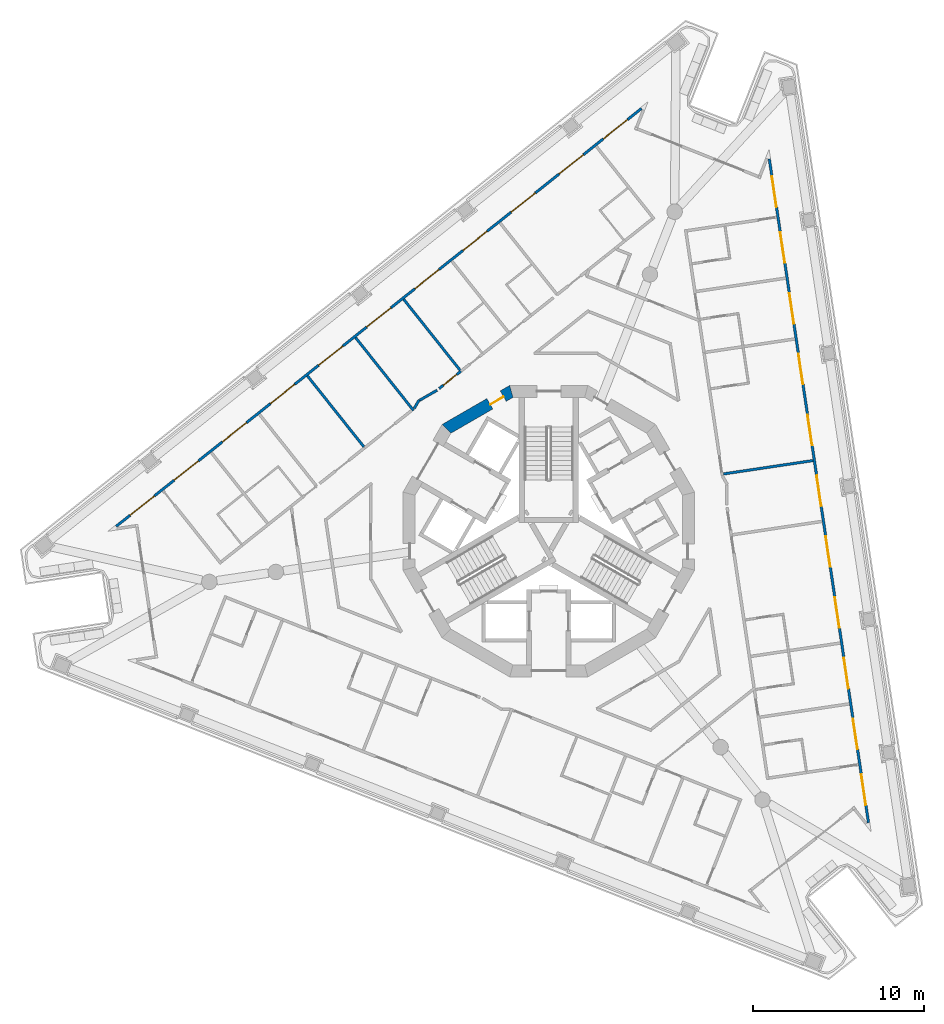
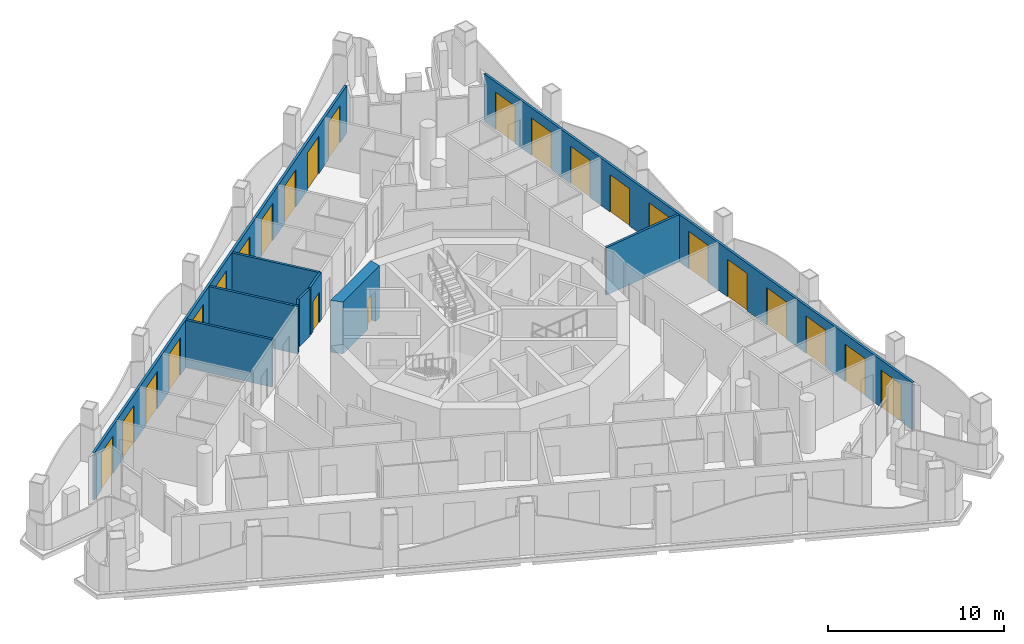
# One storey, part 7 of 16: 24 doors, 10 walls, 24 openings.
"""IFC4 building model written with IfcOpenShell, lengths in metres."""

import ifcopenshell
import ifcopenshell.guid

model = None  # the IFC model being written
_history = None  # IfcOwnerHistory: only IFC2X3 demands one
_inside = {}  # id of a spatial element -> (the spatial element, [elements in it])
_under = {}  # id of a project, library or spatial element -> (it, [spatial elements below it])
_declared = {}  # id of a project -> (the project, [libraries it declares])
_typed = {}  # id of a type object -> (the type object, [elements of that type])
_made_of = {}  # id of a material, layer set ... -> (it, [elements and type objects made of it])


def new_model(schema):
    """Start an empty IFC model of exactly this schema.

    Asked for "IFC4X3", IfcOpenShell would pick the latest addendum, in which some entities
    have other attributes; the version numbers below select the first issue.
    IFC2X3 requires an IfcOwnerHistory on every rooted entity: one is made here for all.
    """
    global model, _history
    if schema == "IFC4X3":
        model = ifcopenshell.file(schema_version=(4, 3, 0, 0))
    else:
        model = ifcopenshell.file(schema=schema)
    _inside.clear()
    _under.clear()
    _declared.clear()
    _typed.clear()
    _made_of.clear()
    _history = None
    if model.schema == "IFC2X3":
        org = make("IfcOrganization", Name="unknown")
        user = make(
            "IfcPersonAndOrganization",
            ThePerson=make("IfcPerson", FamilyName="unknown"),
            TheOrganization=org,
        )
        app = make(
            "IfcApplication",
            ApplicationDeveloper=org,
            Version="unknown",
            ApplicationFullName="unknown",
            ApplicationIdentifier="unknown",
        )
        _history = make(
            "IfcOwnerHistory",
            OwningUser=user,
            OwningApplication=app,
            ChangeAction="ADDED",
            CreationDate=0,
        )
    return model


def make(cls, **values):
    """One entity of the class cls with the attributes given. An attribute that is None is left unset."""
    return model.create_entity(
        cls, **{name: value for name, value in values.items() if value is not None}
    )


def rooted(cls, **values):
    """An entity with a GlobalId (a new one), such as an element, a storey or a relation."""
    return make(cls, GlobalId=ifcopenshell.guid.new(), OwnerHistory=_history, **values)


def si_unit(unit_type, name, prefix=None):
    """IfcSIUnit, for example si_unit("LENGTHUNIT", "METRE", prefix="MILLI")."""
    return make("IfcSIUnit", UnitType=unit_type, Prefix=prefix, Name=name)


def assignment(units):
    """IfcUnitAssignment: the units of a project."""
    return None if units is None else make("IfcUnitAssignment", Units=units)


def point(xyz):
    """IfcCartesianPoint."""
    return None if xyz is None else make("IfcCartesianPoint", Coordinates=xyz)


def direction(xyz):
    """IfcDirection."""
    return None if xyz is None else make("IfcDirection", DirectionRatios=xyz)


def frame(location, z_axis=None, x_axis=None):
    """IfcAxis2Placement3D, a coordinate frame: its origin and axes. An axis left out is left unset."""
    return make(
        "IfcAxis2Placement3D",
        Location=point(location),
        Axis=direction(z_axis),
        RefDirection=direction(x_axis),
    )


def frame_2d(location, x_axis=None):
    """IfcAxis2Placement2D, a coordinate frame in the plane: its origin and x axis."""
    return make(
        "IfcAxis2Placement2D", Location=point(location), RefDirection=direction(x_axis)
    )


def origin():
    """The frame at (0, 0, 0) with its axes left unset."""
    return frame((0.0, 0.0, 0.0))


def place(relative_to, where):
    """IfcLocalPlacement: puts the frame where relative to a parent placement (None: the world)."""
    return make(
        "IfcLocalPlacement", PlacementRelTo=relative_to, RelativePlacement=where
    )


def context(
    kind, dimensions, precision=None, world=None, true_north=None, identifier=None
):
    """IfcGeometricRepresentationContext, for example the 3D "Model" context."""
    return make(
        "IfcGeometricRepresentationContext",
        ContextIdentifier=identifier,
        ContextType=kind,
        CoordinateSpaceDimension=dimensions,
        Precision=precision,
        WorldCoordinateSystem=world,
        TrueNorth=true_north,
    )


def subcontext(parent, identifier, kind, view, scale=None):
    """IfcGeometricRepresentationSubContext, for example "Body" below "Model"."""
    return make(
        "IfcGeometricRepresentationSubContext",
        ContextIdentifier=identifier,
        ContextType=kind,
        ParentContext=parent,
        TargetScale=scale,
        TargetView=view,
    )


def project(units=None, contexts=None):
    """IfcProject with its units and contexts."""
    return rooted(
        "IfcProject",
        Name="project",
        RepresentationContexts=contexts,
        UnitsInContext=assignment(units),
    )


def spatial(cls, under=None, at=None, **own):
    """A site, building, storey or space (cls), placed at a placement, below another one or the project."""
    s = rooted(cls, ObjectPlacement=at, **own)
    if under is not None:
        _under.setdefault(under.id(), (under, []))[1].append(s)
    return s


def polyline(points):
    """IfcPolyline through the points."""
    return make("IfcPolyline", Points=[point(p) for p in points])


def profile(cls, at=None, kind="AREA", **sizes):
    """A parametric profile (cls). Its sizes go by their IFC names, for example OverallWidth=200.0."""
    return make(cls, ProfileType=kind, Position=at, **sizes)


def rectangle(**sizes):
    """IfcRectangleProfileDef."""
    return profile("IfcRectangleProfileDef", **sizes)


def outline(outer, holes=None, kind="AREA"):
    """IfcArbitraryClosedProfileDef: a profile drawn as a closed curve; with holes, ...WithVoids."""
    if holes is None:
        return make("IfcArbitraryClosedProfileDef", ProfileType=kind, OuterCurve=outer)
    return make(
        "IfcArbitraryProfileDefWithVoids",
        ProfileType=kind,
        OuterCurve=outer,
        InnerCurves=holes,
    )


def extrude(swept, where, along, depth):
    """IfcExtrudedAreaSolid: the profile swept, set in the frame where, extruded along a direction by depth."""
    return make(
        "IfcExtrudedAreaSolid",
        SweptArea=swept,
        Position=where,
        ExtrudedDirection=direction(along),
        Depth=depth,
    )


def shape(context_of_items, identifier, shape_type, items):
    """IfcShapeRepresentation: the items that make up one representation, for example the "Body"."""
    return make(
        "IfcShapeRepresentation",
        ContextOfItems=context_of_items,
        RepresentationIdentifier=identifier,
        RepresentationType=shape_type,
        Items=items,
    )


def material(Name=None, Category=None):
    """IfcMaterial."""
    return make("IfcMaterial", Name=Name, Category=Category)


def layer(
    of_material, thickness, ventilated=None, Name=None, Category=None, Priority=None
):
    """IfcMaterialLayer: one layer of a wall or slab, of a material (None: an air gap)."""
    return make(
        "IfcMaterialLayer",
        Material=of_material,
        LayerThickness=thickness,
        IsVentilated=ventilated,
        Name=Name,
        Category=Category,
        Priority=Priority,
    )


def layer_set(layers, Name=None):
    """IfcMaterialLayerSet."""
    return make("IfcMaterialLayerSet", MaterialLayers=layers, LayerSetName=Name)


def made_of(thing, what):
    """Note that an element or type object is made of a material, layer set ...; save() writes the relation."""
    if what is not None:
        _made_of.setdefault(what.id(), (what, []))[1].append(thing)
    return thing


def type_object(cls, material=None, **own):
    """A type object (cls), such as IfcWallType, which elements share."""
    return made_of(rooted(cls, **own), material)


def element(
    cls,
    number,
    at=None,
    inside=None,
    cuts=None,
    type_object=None,
    material=None,
    context=None,
    identifier="Body",
    shape_type=None,
    held_by="IfcProductDefinitionShape",
    body=None,
    shapes=None,
    **own,
):
    """One element of the class cls, such as IfcWall. Its Tag is "e" and its number.

    at: its placement. inside: the storey or other place that contains it. cuts: it is an
    opening in that element (IfcRelVoidsElement). A single representation is given by context,
    identifier, shape_type and body (its items); several are given by shapes. held_by: the class
    of the entity that holds the representations. save() writes the other relations.
    """
    e = rooted(cls, Tag="e%d" % number, ObjectPlacement=at, **own)
    if body is not None:
        shapes = [shape(context, identifier, shape_type, body)]
    if shapes is not None:
        e.Representation = make(held_by, Representations=shapes)
    if inside is not None:
        _inside.setdefault(inside.id(), (inside, []))[1].append(e)
    if cuts is not None:
        rooted(
            "IfcRelVoidsElement", RelatingBuildingElement=cuts, RelatedOpeningElement=e
        )
    if type_object is not None:
        _typed.setdefault(type_object.id(), (type_object, []))[1].append(e)
    return made_of(e, material)


def fill(opening, filler):
    """IfcRelFillsElement: the door or window that sits in an opening."""
    return rooted(
        "IfcRelFillsElement",
        RelatingOpeningElement=opening,
        RelatedBuildingElement=filler,
    )


def aggregate(whole, parts):
    """IfcRelAggregates: a whole, such as a stair, and the parts it consists of."""
    return rooted("IfcRelAggregates", RelatingObject=whole, RelatedObjects=parts)


def save(model, path):
    """Write the relations noted so far, then the file.

    IfcRelAggregates (storeys below a building ...), IfcRelContainedInSpatialStructure (elements
    in a storey), IfcRelDefinesByType, IfcRelAssociatesMaterial and IfcRelDeclares: one each for
    every whole, place, type object, material and project.
    """
    for whole, parts in _under.values():
        aggregate(whole, parts)
    for where, things in _inside.values():
        rooted(
            "IfcRelContainedInSpatialStructure",
            RelatedElements=things,
            RelatingStructure=where,
        )
    for kind, things in _typed.values():
        rooted("IfcRelDefinesByType", RelatedObjects=things, RelatingType=kind)
    for what, things in _made_of.values():
        rooted("IfcRelAssociatesMaterial", RelatedObjects=things, RelatingMaterial=what)
    for by, libraries in _declared.values():
        rooted("IfcRelDeclares", RelatingContext=by, RelatedDefinitions=libraries)
    model.write(path)


model = new_model("IFC4")

# Units and contexts
model_context = context("Model", 3, precision=1e-05, world=origin(), true_north=direction((0.0, 1.0)))
body_context = subcontext(model_context, "Body", "Model", "MODEL_VIEW")
ifc_project = project(units=[si_unit("LENGTHUNIT", "METRE"), si_unit("AREAUNIT", "SQUARE_METRE"), si_unit("VOLUMEUNIT", "CUBIC_METRE"), si_unit("PLANEANGLEUNIT", "RADIAN"), si_unit("MASSUNIT", "GRAM", prefix="KILO")], contexts=[model_context])

# Site, building, storey
site_placement = place(None, origin())
site = spatial("IfcSite", under=ifc_project, at=site_placement, CompositionType="ELEMENT")
building_placement = place(site_placement, origin())
building = spatial("IfcBuilding", under=site, at=building_placement, Name="Trine Commons Tower", CompositionType="ELEMENT")
storey_placement = place(building_placement, frame((0.0, 0.0, 205.199951171875)))
storey = spatial("IfcBuildingStorey", under=building, at=storey_placement, Name="L53", CompositionType="ELEMENT", Elevation=205.199951171875)

# Wall, openings, doors
ifc_material_1 = material(Name="Aluminium-framed insulated wall panel", Category="aluminium")
ifc_layer_1 = layer(ifc_material_1, 0.14990234375)
ifc_layer_set_1 = layer_set([ifc_layer_1], Name="Aluminium-framed insulated wall panel")
wall_type_1 = type_object("IfcWallType", Name="Glazed frame wall 150, EI 60", PredefinedType="SOLIDWALL", material=ifc_layer_set_1)
wall_1_placement = place(storey_placement, frame((54.650634765625, 62.685546875, 0.0), z_axis=(0.0, 0.0, 1.0), x_axis=(0.782609620341, 0.622512796776, 0.0)))
wall_1 = element("IfcWall", 1, at=wall_1_placement, inside=storey, type_object=wall_type_1, Name="Glazed frame wall F1", PredefinedType="SOLIDWALL", context=body_context, shape_type="SweptSolid", body=[
    extrude(outline(polyline([(0.1494140625, 0.074951171875), (0.1494140625, -0.074951171875), (39.296875, -0.074951171875), (39.296875, 0.074951171875), (0.1494140625, 0.074951171875)])), origin(), (0.0, 0.0, 1.0), 3.300048828125),
])
opening_1_placement = place(wall_1_placement, frame((1.193115234375, 0.0, 0.0)))
opening_1 = element("IfcOpeningElement", 2, at=opening_1_placement, cuts=wall_1, Name="Opening BD-6F1-01", PredefinedType="OPENING", context=body_context, shape_type="SweptSolid", body=[
    extrude(rectangle(XDim=1.800048828125, YDim=2.60009765625, at=frame_2d((0.89990234375, 1.300048828125))), frame((0.0, 0.0849609375, 0.0), z_axis=(0.0, -1.0, 0.0), x_axis=(1.0, 0.0, 0.0)), (0.0, 0.0, 1.0), 0.169921875),
])
opening_2_placement = place(wall_1_placement, frame((4.47900390625, 0.0, 0.0)))
opening_2 = element("IfcOpeningElement", 3, at=opening_2_placement, cuts=wall_1, Name="Opening BD-6F1-02", PredefinedType="OPENING", context=body_context, shape_type="SweptSolid", body=[
    extrude(rectangle(XDim=1.800048828125, YDim=2.60009765625, at=frame_2d((0.89990234375, 1.300048828125))), frame((0.0, 0.0849609375, 0.0), z_axis=(0.0, -1.0, 0.0), x_axis=(1.0, 0.0, 0.0)), (0.0, 0.0, 1.0), 0.169921875),
])
opening_3_placement = place(wall_1_placement, frame((8.06494140625, 0.0, 0.0)))
opening_3 = element("IfcOpeningElement", 4, at=opening_3_placement, cuts=wall_1, Name="Opening BD-6F1-03", PredefinedType="OPENING", context=body_context, shape_type="SweptSolid", body=[
    extrude(rectangle(XDim=1.800048828125, YDim=2.60009765625, at=frame_2d((0.89990234375, 1.300048828125))), frame((0.0, 0.0849609375, 0.0), z_axis=(0.0, -1.0, 0.0), x_axis=(1.0, 0.0, 0.0)), (0.0, 0.0, 1.0), 0.169921875),
])
opening_4_placement = place(wall_1_placement, frame((11.65087890625, 0.0, 0.0)))
opening_4 = element("IfcOpeningElement", 5, at=opening_4_placement, cuts=wall_1, Name="Opening BD-6F1-04", PredefinedType="OPENING", context=body_context, shape_type="SweptSolid", body=[
    extrude(rectangle(XDim=1.800048828125, YDim=2.60009765625, at=frame_2d((0.89990234375, 1.300048828125))), frame((0.0, 0.0849609375, 0.0), z_axis=(0.0, -1.0, 0.0), x_axis=(1.0, 0.0, 0.0)), (0.0, 0.0, 1.0), 0.169921875),
])
opening_5_placement = place(wall_1_placement, frame((15.237060546875, 0.0, 0.0)))
opening_5 = element("IfcOpeningElement", 6, at=opening_5_placement, cuts=wall_1, Name="Opening BD-6F1-05", PredefinedType="OPENING", context=body_context, shape_type="SweptSolid", body=[
    extrude(rectangle(XDim=1.800048828125, YDim=2.60009765625, at=frame_2d((0.89990234375, 1.300048828125))), frame((0.0, 0.0849609375, 0.0), z_axis=(0.0, -1.0, 0.0), x_axis=(1.0, 0.0, 0.0)), (0.0, 0.0, 1.0), 0.169921875),
])
opening_6_placement = place(wall_1_placement, frame((18.822998046875, 0.0, 0.0)))
opening_6 = element("IfcOpeningElement", 7, at=opening_6_placement, cuts=wall_1, Name="Opening BD-6F1-06", PredefinedType="OPENING", context=body_context, shape_type="SweptSolid", body=[
    extrude(rectangle(XDim=1.800048828125, YDim=2.60009765625, at=frame_2d((0.89990234375, 1.300048828125))), frame((0.0, 0.0849609375, 0.0), z_axis=(0.0, -1.0, 0.0), x_axis=(1.0, 0.0, 0.0)), (0.0, 0.0, 1.0), 0.169921875),
])
opening_7_placement = place(wall_1_placement, frame((22.408935546875, 0.0, 0.0)))
opening_7 = element("IfcOpeningElement", 8, at=opening_7_placement, cuts=wall_1, Name="Opening BD-6F1-07", PredefinedType="OPENING", context=body_context, shape_type="SweptSolid", body=[
    extrude(rectangle(XDim=1.800048828125, YDim=2.60009765625, at=frame_2d((0.89990234375, 1.300048828125))), frame((0.0, 0.0849609375, 0.0), z_axis=(0.0, -1.0, 0.0), x_axis=(1.0, 0.0, 0.0)), (0.0, 0.0, 1.0), 0.169921875),
])
opening_8_placement = place(wall_1_placement, frame((25.9951171875, 0.0, 0.0)))
opening_8 = element("IfcOpeningElement", 9, at=opening_8_placement, cuts=wall_1, Name="Opening BD-6F1-08", PredefinedType="OPENING", context=body_context, shape_type="SweptSolid", body=[
    extrude(rectangle(XDim=1.800048828125, YDim=2.60009765625, at=frame_2d((0.89990234375, 1.300048828125))), frame((0.0, 0.0849609375, 0.0), z_axis=(0.0, -1.0, 0.0), x_axis=(1.0, 0.0, 0.0)), (0.0, 0.0, 1.0), 0.169921875),
])
opening_9_placement = place(wall_1_placement, frame((29.5810546875, 0.0, 0.0)))
opening_9 = element("IfcOpeningElement", 10, at=opening_9_placement, cuts=wall_1, Name="Opening BD-6F1-09", PredefinedType="OPENING", context=body_context, shape_type="SweptSolid", body=[
    extrude(rectangle(XDim=1.800048828125, YDim=2.60009765625, at=frame_2d((0.89990234375, 1.300048828125))), frame((0.0, 0.0849609375, 0.0), z_axis=(0.0, -1.0, 0.0), x_axis=(1.0, 0.0, 0.0)), (0.0, 0.0, 1.0), 0.169921875),
])
opening_10_placement = place(wall_1_placement, frame((33.1669921875, 0.0, 0.0)))
opening_10 = element("IfcOpeningElement", 11, at=opening_10_placement, cuts=wall_1, Name="Opening BD-6F1-10", PredefinedType="OPENING", context=body_context, shape_type="SweptSolid", body=[
    extrude(rectangle(XDim=1.800048828125, YDim=2.60009765625, at=frame_2d((0.89990234375, 1.300048828125))), frame((0.0, 0.0849609375, 0.0), z_axis=(0.0, -1.0, 0.0), x_axis=(1.0, 0.0, 0.0)), (0.0, 0.0, 1.0), 0.169921875),
])
opening_11_placement = place(wall_1_placement, frame((36.452880859375, 0.0, 0.0)))
opening_11 = element("IfcOpeningElement", 12, at=opening_11_placement, cuts=wall_1, Name="Opening BD-6F1-11", PredefinedType="OPENING", context=body_context, shape_type="SweptSolid", body=[
    extrude(rectangle(XDim=1.800048828125, YDim=2.60009765625, at=frame_2d((0.89990234375, 1.300048828125))), frame((0.0, 0.0849609375, 0.0), z_axis=(0.0, -1.0, 0.0), x_axis=(1.0, 0.0, 0.0)), (0.0, 0.0, 1.0), 0.169921875),
])
ifc_material_2 = material(Name="Anodised aluminium frame with double glazing", Category="aluminium")
door_type_1 = type_object("IfcDoorType", Name="Sliding loggia door 1800x2600", OperationType="SLIDING_TO_LEFT", PredefinedType="DOOR", material=ifc_material_2)
door_1_placement = place(opening_1_placement, origin())
door_1 = element("IfcDoor", 13, at=door_1_placement, inside=storey, type_object=door_type_1, Name="Loggia door F1 1", OperationType="SLIDING_TO_LEFT", OverallHeight=2.60009765625, OverallWidth=1.800048828125, PredefinedType="DOOR", context=body_context, shape_type="SweptSolid", body=[
    extrude(rectangle(XDim=1.800048828125, YDim=2.60009765625, at=frame_2d((0.89990234375, 1.300048828125))), frame((0.0, 0.02490234375, 0.0), z_axis=(0.0, -1.0, 0.0), x_axis=(1.0, 0.0, 0.0)), (0.0, 0.0, 1.0), 0.050048828125),
])
fill(opening_1, door_1)
door_2_placement = place(opening_2_placement, origin())
door_2 = element("IfcDoor", 14, at=door_2_placement, inside=storey, type_object=door_type_1, Name="Loggia door F1 2", OperationType="SLIDING_TO_LEFT", OverallHeight=2.60009765625, OverallWidth=1.800048828125, PredefinedType="DOOR", context=body_context, shape_type="SweptSolid", body=[
    extrude(rectangle(XDim=1.800048828125, YDim=2.60009765625, at=frame_2d((0.89990234375, 1.300048828125))), frame((0.0, 0.02490234375, 0.0), z_axis=(0.0, -1.0, 0.0), x_axis=(1.0, 0.0, 0.0)), (0.0, 0.0, 1.0), 0.050048828125),
])
fill(opening_2, door_2)
door_3_placement = place(opening_3_placement, origin())
door_3 = element("IfcDoor", 15, at=door_3_placement, inside=storey, type_object=door_type_1, Name="Loggia door F1 3", OperationType="SLIDING_TO_LEFT", OverallHeight=2.60009765625, OverallWidth=1.800048828125, PredefinedType="DOOR", context=body_context, shape_type="SweptSolid", body=[
    extrude(rectangle(XDim=1.800048828125, YDim=2.60009765625, at=frame_2d((0.89990234375, 1.300048828125))), frame((0.0, 0.02490234375, 0.0), z_axis=(0.0, -1.0, 0.0), x_axis=(1.0, 0.0, 0.0)), (0.0, 0.0, 1.0), 0.050048828125),
])
fill(opening_3, door_3)
door_4_placement = place(opening_4_placement, origin())
door_4 = element("IfcDoor", 16, at=door_4_placement, inside=storey, type_object=door_type_1, Name="Loggia door F1 4", OperationType="SLIDING_TO_LEFT", OverallHeight=2.60009765625, OverallWidth=1.800048828125, PredefinedType="DOOR", context=body_context, shape_type="SweptSolid", body=[
    extrude(rectangle(XDim=1.800048828125, YDim=2.60009765625, at=frame_2d((0.89990234375, 1.300048828125))), frame((0.0, 0.02490234375, 0.0), z_axis=(0.0, -1.0, 0.0), x_axis=(1.0, 0.0, 0.0)), (0.0, 0.0, 1.0), 0.050048828125),
])
fill(opening_4, door_4)
door_5_placement = place(opening_5_placement, origin())
door_5 = element("IfcDoor", 17, at=door_5_placement, inside=storey, type_object=door_type_1, Name="Loggia door F1 5", OperationType="SLIDING_TO_LEFT", OverallHeight=2.60009765625, OverallWidth=1.800048828125, PredefinedType="DOOR", context=body_context, shape_type="SweptSolid", body=[
    extrude(rectangle(XDim=1.800048828125, YDim=2.60009765625, at=frame_2d((0.89990234375, 1.300048828125))), frame((0.0, 0.02490234375, 0.0), z_axis=(0.0, -1.0, 0.0), x_axis=(1.0, 0.0, 0.0)), (0.0, 0.0, 1.0), 0.050048828125),
])
fill(opening_5, door_5)
door_6_placement = place(opening_6_placement, origin())
door_6 = element("IfcDoor", 18, at=door_6_placement, inside=storey, type_object=door_type_1, Name="Loggia door F1 6", OperationType="SLIDING_TO_LEFT", OverallHeight=2.60009765625, OverallWidth=1.800048828125, PredefinedType="DOOR", context=body_context, shape_type="SweptSolid", body=[
    extrude(rectangle(XDim=1.800048828125, YDim=2.60009765625, at=frame_2d((0.89990234375, 1.300048828125))), frame((0.0, 0.02490234375, 0.0), z_axis=(0.0, -1.0, 0.0), x_axis=(1.0, 0.0, 0.0)), (0.0, 0.0, 1.0), 0.050048828125),
])
fill(opening_6, door_6)
door_7_placement = place(opening_7_placement, origin())
door_7 = element("IfcDoor", 19, at=door_7_placement, inside=storey, type_object=door_type_1, Name="Loggia door F1 7", OperationType="SLIDING_TO_LEFT", OverallHeight=2.60009765625, OverallWidth=1.800048828125, PredefinedType="DOOR", context=body_context, shape_type="SweptSolid", body=[
    extrude(rectangle(XDim=1.800048828125, YDim=2.60009765625, at=frame_2d((0.89990234375, 1.300048828125))), frame((0.0, 0.02490234375, 0.0), z_axis=(0.0, -1.0, 0.0), x_axis=(1.0, 0.0, 0.0)), (0.0, 0.0, 1.0), 0.050048828125),
])
fill(opening_7, door_7)
door_8_placement = place(opening_8_placement, origin())
door_8 = element("IfcDoor", 20, at=door_8_placement, inside=storey, type_object=door_type_1, Name="Loggia door F1 8", OperationType="SLIDING_TO_LEFT", OverallHeight=2.60009765625, OverallWidth=1.800048828125, PredefinedType="DOOR", context=body_context, shape_type="SweptSolid", body=[
    extrude(rectangle(XDim=1.800048828125, YDim=2.60009765625, at=frame_2d((0.89990234375, 1.300048828125))), frame((0.0, 0.02490234375, 0.0), z_axis=(0.0, -1.0, 0.0), x_axis=(1.0, 0.0, 0.0)), (0.0, 0.0, 1.0), 0.050048828125),
])
fill(opening_8, door_8)
door_9_placement = place(opening_9_placement, origin())
door_9 = element("IfcDoor", 21, at=door_9_placement, inside=storey, type_object=door_type_1, Name="Loggia door F1 9", OperationType="SLIDING_TO_LEFT", OverallHeight=2.60009765625, OverallWidth=1.800048828125, PredefinedType="DOOR", context=body_context, shape_type="SweptSolid", body=[
    extrude(rectangle(XDim=1.800048828125, YDim=2.60009765625, at=frame_2d((0.89990234375, 1.300048828125))), frame((0.0, 0.02490234375, 0.0), z_axis=(0.0, -1.0, 0.0), x_axis=(1.0, 0.0, 0.0)), (0.0, 0.0, 1.0), 0.050048828125),
])
fill(opening_9, door_9)
door_10_placement = place(opening_10_placement, origin())
door_10 = element("IfcDoor", 22, at=door_10_placement, inside=storey, type_object=door_type_1, Name="Loggia door F1 10", OperationType="SLIDING_TO_LEFT", OverallHeight=2.60009765625, OverallWidth=1.800048828125, PredefinedType="DOOR", context=body_context, shape_type="SweptSolid", body=[
    extrude(rectangle(XDim=1.800048828125, YDim=2.60009765625, at=frame_2d((0.89990234375, 1.300048828125))), frame((0.0, 0.02490234375, 0.0), z_axis=(0.0, -1.0, 0.0), x_axis=(1.0, 0.0, 0.0)), (0.0, 0.0, 1.0), 0.050048828125),
])
fill(opening_10, door_10)
door_11_placement = place(opening_11_placement, origin())
door_11 = element("IfcDoor", 23, at=door_11_placement, inside=storey, type_object=door_type_1, Name="Loggia door F1 11", OperationType="SLIDING_TO_LEFT", OverallHeight=2.60009765625, OverallWidth=1.800048828125, PredefinedType="DOOR", context=body_context, shape_type="SweptSolid", body=[
    extrude(rectangle(XDim=1.800048828125, YDim=2.60009765625, at=frame_2d((0.89990234375, 1.300048828125))), frame((0.0, 0.02490234375, 0.0), z_axis=(0.0, -1.0, 0.0), x_axis=(1.0, 0.0, 0.0)), (0.0, 0.0, 1.0), 0.050048828125),
])
fill(opening_11, door_11)

wall_2_placement = place(storey_placement, frame((92.835205078125, 84.3603515625, 0.0), z_axis=(0.0, 0.0, 1.0), x_axis=(0.147810490781, -0.989015702006, 0.0)))
wall_2 = element("IfcWall", 24, at=wall_2_placement, inside=storey, type_object=wall_type_1, Name="Glazed frame wall F2", PredefinedType="SOLIDWALL", context=body_context, shape_type="SweptSolid", body=[
    extrude(outline(polyline([(0.1494140625, 0.074951171875), (0.1494140625, -0.074951171875), (39.296875, -0.074951171875), (39.296875, 0.074951171875), (0.1494140625, 0.074951171875)])), origin(), (0.0, 0.0, 1.0), 3.300048828125),
])
opening_12_placement = place(wall_2_placement, frame((1.193115234375, 0.0, 0.0)))
opening_12 = element("IfcOpeningElement", 25, at=opening_12_placement, cuts=wall_2, Name="Opening BD-6F2-01", PredefinedType="OPENING", context=body_context, shape_type="SweptSolid", body=[
    extrude(rectangle(XDim=1.800048828125, YDim=2.60009765625, at=frame_2d((0.89990234375, 1.300048828125))), frame((0.0, 0.0849609375, 0.0), z_axis=(0.0, -1.0, 0.0), x_axis=(1.0, 0.0, 0.0)), (0.0, 0.0, 1.0), 0.169921875),
])
opening_13_placement = place(wall_2_placement, frame((4.47900390625, 0.0, 0.0)))
opening_13 = element("IfcOpeningElement", 26, at=opening_13_placement, cuts=wall_2, Name="Opening BD-6F2-02", PredefinedType="OPENING", context=body_context, shape_type="SweptSolid", body=[
    extrude(rectangle(XDim=1.800048828125, YDim=2.60009765625, at=frame_2d((0.89990234375, 1.300048828125))), frame((0.0, 0.0849609375, 0.0), z_axis=(0.0, -1.0, 0.0), x_axis=(1.0, 0.0, 0.0)), (0.0, 0.0, 1.0), 0.169921875),
])
opening_14_placement = place(wall_2_placement, frame((8.06494140625, 0.0, 0.0)))
opening_14 = element("IfcOpeningElement", 27, at=opening_14_placement, cuts=wall_2, Name="Opening BD-6F2-03", PredefinedType="OPENING", context=body_context, shape_type="SweptSolid", body=[
    extrude(rectangle(XDim=1.800048828125, YDim=2.60009765625, at=frame_2d((0.89990234375, 1.300048828125))), frame((0.0, 0.0849609375, 0.0), z_axis=(0.0, -1.0, 0.0), x_axis=(1.0, 0.0, 0.0)), (0.0, 0.0, 1.0), 0.169921875),
])
opening_15_placement = place(wall_2_placement, frame((11.65087890625, 0.0, 0.0)))
opening_15 = element("IfcOpeningElement", 28, at=opening_15_placement, cuts=wall_2, Name="Opening BD-6F2-04", PredefinedType="OPENING", context=body_context, shape_type="SweptSolid", body=[
    extrude(rectangle(XDim=1.800048828125, YDim=2.60009765625, at=frame_2d((0.89990234375, 1.300048828125))), frame((0.0, 0.0849609375, 0.0), z_axis=(0.0, -1.0, 0.0), x_axis=(1.0, 0.0, 0.0)), (0.0, 0.0, 1.0), 0.169921875),
])
opening_16_placement = place(wall_2_placement, frame((15.237060546875, 0.0, 0.0)))
opening_16 = element("IfcOpeningElement", 29, at=opening_16_placement, cuts=wall_2, Name="Opening BD-6F2-05", PredefinedType="OPENING", context=body_context, shape_type="SweptSolid", body=[
    extrude(rectangle(XDim=1.800048828125, YDim=2.60009765625, at=frame_2d((0.89990234375, 1.300048828125))), frame((0.0, 0.0849609375, 0.0), z_axis=(0.0, -1.0, 0.0), x_axis=(1.0, 0.0, 0.0)), (0.0, 0.0, 1.0), 0.169921875),
])
opening_17_placement = place(wall_2_placement, frame((18.822998046875, 0.0, 0.0)))
opening_17 = element("IfcOpeningElement", 30, at=opening_17_placement, cuts=wall_2, Name="Opening BD-6F2-06", PredefinedType="OPENING", context=body_context, shape_type="SweptSolid", body=[
    extrude(rectangle(XDim=1.800048828125, YDim=2.60009765625, at=frame_2d((0.89990234375, 1.300048828125))), frame((0.0, 0.0849609375, 0.0), z_axis=(0.0, -1.0, 0.0), x_axis=(1.0, 0.0, 0.0)), (0.0, 0.0, 1.0), 0.169921875),
])
opening_18_placement = place(wall_2_placement, frame((22.408935546875, 0.0, 0.0)))
opening_18 = element("IfcOpeningElement", 31, at=opening_18_placement, cuts=wall_2, Name="Opening BD-6F2-07", PredefinedType="OPENING", context=body_context, shape_type="SweptSolid", body=[
    extrude(rectangle(XDim=1.800048828125, YDim=2.60009765625, at=frame_2d((0.89990234375, 1.300048828125))), frame((0.0, 0.0849609375, 0.0), z_axis=(0.0, -1.0, 0.0), x_axis=(1.0, 0.0, 0.0)), (0.0, 0.0, 1.0), 0.169921875),
])
opening_19_placement = place(wall_2_placement, frame((25.9951171875, 0.0, 0.0)))
opening_19 = element("IfcOpeningElement", 32, at=opening_19_placement, cuts=wall_2, Name="Opening BD-6F2-08", PredefinedType="OPENING", context=body_context, shape_type="SweptSolid", body=[
    extrude(rectangle(XDim=1.800048828125, YDim=2.60009765625, at=frame_2d((0.89990234375, 1.300048828125))), frame((0.0, 0.0849609375, 0.0), z_axis=(0.0, -1.0, 0.0), x_axis=(1.0, 0.0, 0.0)), (0.0, 0.0, 1.0), 0.169921875),
])
opening_20_placement = place(wall_2_placement, frame((29.5810546875, 0.0, 0.0)))
opening_20 = element("IfcOpeningElement", 33, at=opening_20_placement, cuts=wall_2, Name="Opening BD-6F2-09", PredefinedType="OPENING", context=body_context, shape_type="SweptSolid", body=[
    extrude(rectangle(XDim=1.800048828125, YDim=2.60009765625, at=frame_2d((0.89990234375, 1.300048828125))), frame((0.0, 0.0849609375, 0.0), z_axis=(0.0, -1.0, 0.0), x_axis=(1.0, 0.0, 0.0)), (0.0, 0.0, 1.0), 0.169921875),
])
opening_21_placement = place(wall_2_placement, frame((33.1669921875, 0.0, 0.0)))
opening_21 = element("IfcOpeningElement", 34, at=opening_21_placement, cuts=wall_2, Name="Opening BD-6F2-10", PredefinedType="OPENING", context=body_context, shape_type="SweptSolid", body=[
    extrude(rectangle(XDim=1.800048828125, YDim=2.60009765625, at=frame_2d((0.89990234375, 1.300048828125))), frame((0.0, 0.0849609375, 0.0), z_axis=(0.0, -1.0, 0.0), x_axis=(1.0, 0.0, 0.0)), (0.0, 0.0, 1.0), 0.169921875),
])
opening_22_placement = place(wall_2_placement, frame((36.452880859375, 0.0, 0.0)))
opening_22 = element("IfcOpeningElement", 35, at=opening_22_placement, cuts=wall_2, Name="Opening BD-6F2-11", PredefinedType="OPENING", context=body_context, shape_type="SweptSolid", body=[
    extrude(rectangle(XDim=1.800048828125, YDim=2.60009765625, at=frame_2d((0.89990234375, 1.300048828125))), frame((0.0, 0.0849609375, 0.0), z_axis=(0.0, -1.0, 0.0), x_axis=(1.0, 0.0, 0.0)), (0.0, 0.0, 1.0), 0.169921875),
])
door_12_placement = place(opening_12_placement, origin())
door_12 = element("IfcDoor", 36, at=door_12_placement, inside=storey, type_object=door_type_1, Name="Loggia door F2 1", OperationType="SLIDING_TO_LEFT", OverallHeight=2.60009765625, OverallWidth=1.800048828125, PredefinedType="DOOR", context=body_context, shape_type="SweptSolid", body=[
    extrude(rectangle(XDim=1.800048828125, YDim=2.60009765625, at=frame_2d((0.89990234375, 1.300048828125))), frame((0.0, 0.02490234375, 0.0), z_axis=(0.0, -1.0, 0.0), x_axis=(1.0, 0.0, 0.0)), (0.0, 0.0, 1.0), 0.050048828125),
])
fill(opening_12, door_12)
door_13_placement = place(opening_13_placement, origin())
door_13 = element("IfcDoor", 37, at=door_13_placement, inside=storey, type_object=door_type_1, Name="Loggia door F2 2", OperationType="SLIDING_TO_LEFT", OverallHeight=2.60009765625, OverallWidth=1.800048828125, PredefinedType="DOOR", context=body_context, shape_type="SweptSolid", body=[
    extrude(rectangle(XDim=1.800048828125, YDim=2.60009765625, at=frame_2d((0.89990234375, 1.300048828125))), frame((0.0, 0.02490234375, 0.0), z_axis=(0.0, -1.0, 0.0), x_axis=(1.0, 0.0, 0.0)), (0.0, 0.0, 1.0), 0.050048828125),
])
fill(opening_13, door_13)
door_14_placement = place(opening_14_placement, origin())
door_14 = element("IfcDoor", 38, at=door_14_placement, inside=storey, type_object=door_type_1, Name="Loggia door F2 3", OperationType="SLIDING_TO_LEFT", OverallHeight=2.60009765625, OverallWidth=1.800048828125, PredefinedType="DOOR", context=body_context, shape_type="SweptSolid", body=[
    extrude(rectangle(XDim=1.800048828125, YDim=2.60009765625, at=frame_2d((0.89990234375, 1.300048828125))), frame((0.0, 0.02490234375, 0.0), z_axis=(0.0, -1.0, 0.0), x_axis=(1.0, 0.0, 0.0)), (0.0, 0.0, 1.0), 0.050048828125),
])
fill(opening_14, door_14)
door_15_placement = place(opening_15_placement, origin())
door_15 = element("IfcDoor", 39, at=door_15_placement, inside=storey, type_object=door_type_1, Name="Loggia door F2 4", OperationType="SLIDING_TO_LEFT", OverallHeight=2.60009765625, OverallWidth=1.800048828125, PredefinedType="DOOR", context=body_context, shape_type="SweptSolid", body=[
    extrude(rectangle(XDim=1.800048828125, YDim=2.60009765625, at=frame_2d((0.89990234375, 1.300048828125))), frame((0.0, 0.02490234375, 0.0), z_axis=(0.0, -1.0, 0.0), x_axis=(1.0, 0.0, 0.0)), (0.0, 0.0, 1.0), 0.050048828125),
])
fill(opening_15, door_15)
door_16_placement = place(opening_16_placement, origin())
door_16 = element("IfcDoor", 40, at=door_16_placement, inside=storey, type_object=door_type_1, Name="Loggia door F2 5", OperationType="SLIDING_TO_LEFT", OverallHeight=2.60009765625, OverallWidth=1.800048828125, PredefinedType="DOOR", context=body_context, shape_type="SweptSolid", body=[
    extrude(rectangle(XDim=1.800048828125, YDim=2.60009765625, at=frame_2d((0.89990234375, 1.300048828125))), frame((0.0, 0.02490234375, 0.0), z_axis=(0.0, -1.0, 0.0), x_axis=(1.0, 0.0, 0.0)), (0.0, 0.0, 1.0), 0.050048828125),
])
fill(opening_16, door_16)
door_17_placement = place(opening_17_placement, origin())
door_17 = element("IfcDoor", 41, at=door_17_placement, inside=storey, type_object=door_type_1, Name="Loggia door F2 6", OperationType="SLIDING_TO_LEFT", OverallHeight=2.60009765625, OverallWidth=1.800048828125, PredefinedType="DOOR", context=body_context, shape_type="SweptSolid", body=[
    extrude(rectangle(XDim=1.800048828125, YDim=2.60009765625, at=frame_2d((0.89990234375, 1.300048828125))), frame((0.0, 0.02490234375, 0.0), z_axis=(0.0, -1.0, 0.0), x_axis=(1.0, 0.0, 0.0)), (0.0, 0.0, 1.0), 0.050048828125),
])
fill(opening_17, door_17)
door_18_placement = place(opening_18_placement, origin())
door_18 = element("IfcDoor", 42, at=door_18_placement, inside=storey, type_object=door_type_1, Name="Loggia door F2 7", OperationType="SLIDING_TO_LEFT", OverallHeight=2.60009765625, OverallWidth=1.800048828125, PredefinedType="DOOR", context=body_context, shape_type="SweptSolid", body=[
    extrude(rectangle(XDim=1.800048828125, YDim=2.60009765625, at=frame_2d((0.89990234375, 1.300048828125))), frame((0.0, 0.02490234375, 0.0), z_axis=(0.0, -1.0, 0.0), x_axis=(1.0, 0.0, 0.0)), (0.0, 0.0, 1.0), 0.050048828125),
])
fill(opening_18, door_18)
door_19_placement = place(opening_19_placement, origin())
door_19 = element("IfcDoor", 43, at=door_19_placement, inside=storey, type_object=door_type_1, Name="Loggia door F2 8", OperationType="SLIDING_TO_LEFT", OverallHeight=2.60009765625, OverallWidth=1.800048828125, PredefinedType="DOOR", context=body_context, shape_type="SweptSolid", body=[
    extrude(rectangle(XDim=1.800048828125, YDim=2.60009765625, at=frame_2d((0.89990234375, 1.300048828125))), frame((0.0, 0.02490234375, 0.0), z_axis=(0.0, -1.0, 0.0), x_axis=(1.0, 0.0, 0.0)), (0.0, 0.0, 1.0), 0.050048828125),
])
fill(opening_19, door_19)
door_20_placement = place(opening_20_placement, origin())
door_20 = element("IfcDoor", 44, at=door_20_placement, inside=storey, type_object=door_type_1, Name="Loggia door F2 9", OperationType="SLIDING_TO_LEFT", OverallHeight=2.60009765625, OverallWidth=1.800048828125, PredefinedType="DOOR", context=body_context, shape_type="SweptSolid", body=[
    extrude(rectangle(XDim=1.800048828125, YDim=2.60009765625, at=frame_2d((0.89990234375, 1.300048828125))), frame((0.0, 0.02490234375, 0.0), z_axis=(0.0, -1.0, 0.0), x_axis=(1.0, 0.0, 0.0)), (0.0, 0.0, 1.0), 0.050048828125),
])
fill(opening_20, door_20)
door_21_placement = place(opening_21_placement, origin())
door_21 = element("IfcDoor", 45, at=door_21_placement, inside=storey, type_object=door_type_1, Name="Loggia door F2 10", OperationType="SLIDING_TO_LEFT", OverallHeight=2.60009765625, OverallWidth=1.800048828125, PredefinedType="DOOR", context=body_context, shape_type="SweptSolid", body=[
    extrude(rectangle(XDim=1.800048828125, YDim=2.60009765625, at=frame_2d((0.89990234375, 1.300048828125))), frame((0.0, 0.02490234375, 0.0), z_axis=(0.0, -1.0, 0.0), x_axis=(1.0, 0.0, 0.0)), (0.0, 0.0, 1.0), 0.050048828125),
])
fill(opening_21, door_21)
door_22_placement = place(opening_22_placement, origin())
door_22 = element("IfcDoor", 46, at=door_22_placement, inside=storey, type_object=door_type_1, Name="Loggia door F2 11", OperationType="SLIDING_TO_LEFT", OverallHeight=2.60009765625, OverallWidth=1.800048828125, PredefinedType="DOOR", context=body_context, shape_type="SweptSolid", body=[
    extrude(rectangle(XDim=1.800048828125, YDim=2.60009765625, at=frame_2d((0.89990234375, 1.300048828125))), frame((0.0, 0.02490234375, 0.0), z_axis=(0.0, -1.0, 0.0), x_axis=(1.0, 0.0, 0.0)), (0.0, 0.0, 1.0), 0.050048828125),
])
fill(opening_22, door_22)

# Wall, opening, door
ifc_material_3 = material(Name="Concrete C60/75", Category="concrete")
ifc_layer_2 = layer(ifc_material_3, 0.699951171875)
ifc_layer_set_2 = layer_set([ifc_layer_2], Name="Concrete C60/75")
wall_type_2 = type_object("IfcWallType", Name="RC shear wall 700 mm, C60/75", PredefinedType="SHEAR", material=ifc_layer_set_2)
wall_3_placement = place(storey_placement, frame((77.8974609375, 70.697021484375, 0.0), z_axis=(0.0, 0.0, 1.0), x_axis=(-0.866034756103, -0.499983800959, 0.0)))
wall_3 = element("IfcWall", 47, at=wall_3_placement, inside=storey, type_object=wall_type_2, Name="Core wall CWF-05 L53", PredefinedType="SHEAR", context=body_context, shape_type="SweptSolid", body=[
    extrude(outline(polyline([(0.0, -0.35009765625), (4.55517578125, -0.35009765625), (4.36767578125, 0.35009765625), (0.1875, 0.35009765625), (0.0, -0.35009765625)])), origin(), (0.0, 0.0, 1.0), 3.60009765625),
])
opening_23_placement = place(wall_3_placement, frame((0.641845703125, 0.0, 0.0)))
opening_23 = element("IfcOpeningElement", 48, at=opening_23_placement, cuts=wall_3, Name="Opening K15.15", PredefinedType="OPENING", context=body_context, shape_type="SweptSolid", body=[
    extrude(rectangle(XDim=0.89990234375, YDim=2.10009765625, at=frame_2d((0.449951171875, 1.050048828125))), frame((0.0, 0.35986328125, 0.0), z_axis=(0.0, -1.0, 0.0), x_axis=(1.0, 0.0, 0.0)), (0.0, 0.0, 1.0), 0.719970703125),
])
ifc_material_4 = material(Name="Steel door leaf, fire-rated", Category="steel")
door_type_2 = type_object("IfcDoorType", Name="Core room door, single leaf 900 x 2100, FD30S", OperationType="SINGLE_SWING_LEFT", PredefinedType="DOOR", material=ifc_material_4)
door_23_placement = place(opening_23_placement, origin())
door_23 = element("IfcDoor", 49, at=door_23_placement, inside=storey, type_object=door_type_2, Name="Door to Accessible WC L53", OperationType="SINGLE_SWING_LEFT", OverallHeight=2.10009765625, OverallWidth=0.89990234375, PredefinedType="DOOR", context=body_context, shape_type="SweptSolid", body=[
    extrude(rectangle(XDim=0.89990234375, YDim=2.10009765625, at=frame_2d((0.449951171875, 1.050048828125))), frame((0.0, 0.0751953125, 0.0), z_axis=(0.0, -1.0, 0.0), x_axis=(1.0, 0.0, 0.0)), (0.0, 0.0, 1.0), 0.050048828125),
])
fill(opening_23, door_23)

# Walls
ifc_material_5 = material(Name="Gypsum plasterboard on steel stud", Category="steel")
ifc_layer_3 = layer(ifc_material_5, 0.14990234375)
ifc_layer_set_3 = layer_set([ifc_layer_3], Name="Gypsum plasterboard on steel stud")
wall_type_3 = type_object("IfcWallType", Name="Unit and corridor wall 150 mm, EI 60", PredefinedType="PARTITIONING", material=ifc_layer_set_3)
wall_4_placement = place(storey_placement, frame((65.9228515625, 71.5556640625, 0.0), z_axis=(0.0, 0.0, 1.0), x_axis=(0.622585933561, -0.782551439416, 0.0)))
element("IfcWall", 50, at=wall_4_placement, inside=storey, type_object=wall_type_3, Name="Partition 021", PredefinedType="PARTITIONING", context=body_context, shape_type="SweptSolid", body=[
    extrude(rectangle(XDim=5.28515625, YDim=0.14990234375, at=frame_2d((2.642578125, 0.0))), origin(), (0.0, 0.0, 1.0), 3.300048828125),
])
wall_5_placement = place(storey_placement, frame((68.72998046875, 73.788818359375, 0.0), z_axis=(0.0, 0.0, 1.0), x_axis=(0.622457280045, -0.782653776915, 0.0)))
element("IfcWall", 51, at=wall_5_placement, inside=storey, type_object=wall_type_3, Name="Partition 029", PredefinedType="PARTITIONING", context=body_context, shape_type="SweptSolid", body=[
    extrude(rectangle(XDim=5.4345703125, YDim=0.14990234375, at=frame_2d((2.71728515625, 0.0))), origin(), (0.0, 0.0, 1.0), 3.300048828125),
])
wall_6_placement = place(storey_placement, frame((71.535888671875, 76.020751953125, 0.0), z_axis=(0.0, 0.0, 1.0), x_axis=(0.622565407695, -0.782567769041, 0.0)))
element("IfcWall", 52, at=wall_6_placement, inside=storey, type_object=wall_type_3, Name="Partition 036", PredefinedType="PARTITIONING", context=body_context, shape_type="SweptSolid", body=[
    extrude(rectangle(XDim=5.3603515625, YDim=0.14990234375, at=frame_2d((2.68017578125, 0.0))), origin(), (0.0, 0.0, 1.0), 3.300048828125),
])
wall_7_placement = place(storey_placement, frame((72.152099609375, 69.656005859375, 0.0), z_axis=(0.0, 0.0, 1.0), x_axis=(0.499165076137, 0.866506910973, 0.0)))
element("IfcWall", 53, at=wall_7_placement, inside=storey, type_object=wall_type_3, Name="Partition 037", PredefinedType="PARTITIONING", context=body_context, shape_type="SweptSolid", body=[
    extrude(rectangle(XDim=0.58154296875, YDim=0.14990234375, at=frame_2d((0.290771484375, 0.0))), origin(), (0.0, 0.0, 1.0), 3.300048828125),
])
wall_8_placement = place(storey_placement, frame((72.469970703125, 70.132568359375, 0.0), z_axis=(0.0, 0.0, 1.0), x_axis=(0.865861083349, 0.5002845034, 0.0)))
element("IfcWall", 54, at=wall_8_placement, inside=storey, type_object=wall_type_3, Name="Partition 039", PredefinedType="PARTITIONING", context=body_context, shape_type="SweptSolid", body=[
    extrude(rectangle(XDim=1.177978515625, YDim=0.14990234375, at=frame_2d((0.5888671875, 0.0))), origin(), (0.0, 0.0, 1.0), 3.300048828125),
])

# Wall, opening, door
wall_9_placement = place(storey_placement, frame((73.60302734375, 70.81591796875, 0.0), z_axis=(0.0, 0.0, 1.0), x_axis=(0.782783875515, 0.622293663983, 0.0)))
wall_9 = element("IfcWall", 55, at=wall_9_placement, inside=storey, type_object=wall_type_3, Name="Partition 041", PredefinedType="PARTITIONING", context=body_context, shape_type="SweptSolid", body=[
    extrude(rectangle(XDim=1.626220703125, YDim=0.14990234375, at=frame_2d((0.81298828125, 0.0))), origin(), (0.0, 0.0, 1.0), 3.300048828125),
])
opening_24_placement = place(wall_9_placement, frame((0.311279296875, 0.0, 0.0)))
opening_24 = element("IfcOpeningElement", 56, at=opening_24_placement, cuts=wall_9, Name="Opening D-6A09", PredefinedType="OPENING", context=body_context, shape_type="SweptSolid", body=[
    extrude(rectangle(XDim=1.0, YDim=2.10009765625, at=frame_2d((0.5, 1.050048828125))), frame((0.0, 0.0849609375, 0.0), z_axis=(0.0, -1.0, 0.0), x_axis=(1.0, 0.0, 0.0)), (0.0, 0.0, 1.0), 0.169921875),
])
ifc_material_6 = material(Name="Painted timber", Category="wood")
door_type_3 = type_object("IfcDoorType", Name="Toilet door 1000 x 2100, NOT RATED", OperationType="NOTDEFINED", PredefinedType="DOOR", material=ifc_material_6)
door_24_placement = place(opening_24_placement, origin())
door_24 = element("IfcDoor", 57, at=door_24_placement, inside=storey, type_object=door_type_3, Name="Door D-6A09", OperationType="SINGLE_SWING_LEFT", OverallHeight=2.10009765625, OverallWidth=1.0, PredefinedType="DOOR", context=body_context, shape_type="SweptSolid", body=[
    extrude(rectangle(XDim=1.0, YDim=2.10009765625, at=frame_2d((0.5, 1.050048828125))), frame((0.0, 0.02490234375, 0.0), z_axis=(0.0, -1.0, 0.0), x_axis=(1.0, 0.0, 0.0)), (0.0, 0.0, 1.0), 0.050048828125),
])
fill(opening_24, door_24)

# Wall
wall_10_placement = place(storey_placement, frame((90.18408203125, 65.835205078125, 0.0), z_axis=(0.0, 0.0, 1.0), x_axis=(0.98902190879, 0.147768954566, 0.0)))
element("IfcWall", 58, at=wall_10_placement, inside=storey, type_object=wall_type_3, Name="Partition 104", PredefinedType="PARTITIONING", context=body_context, shape_type="SweptSolid", body=[
    extrude(rectangle(XDim=5.285400390625, YDim=0.14990234375, at=frame_2d((2.642578125, 0.0))), origin(), (0.0, 0.0, 1.0), 3.300048828125),
])

save(model, "model.ifc")
